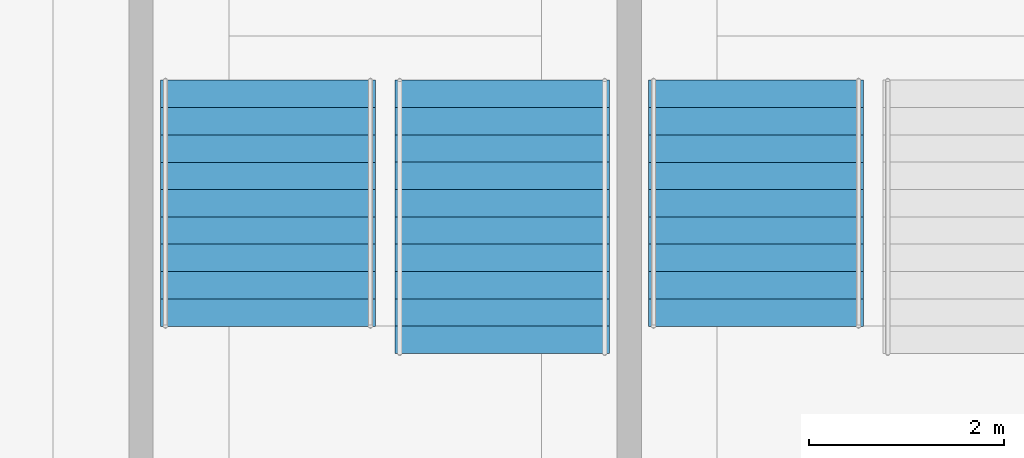
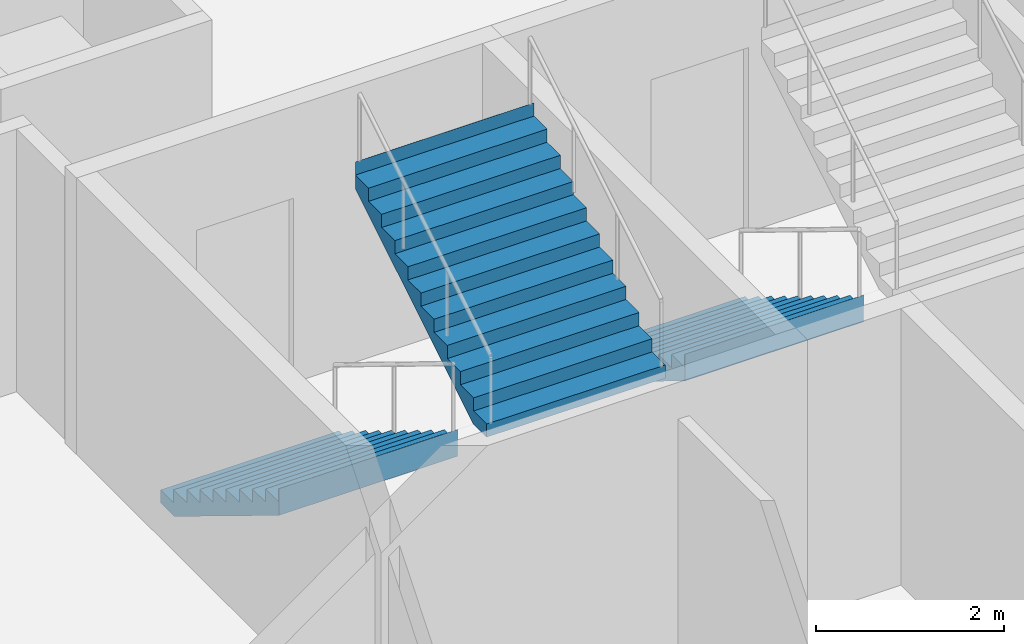
# One storey, part 98 of 148: 3 stair flights, 2 elements without a shape of their own.
"""IFC4 building model written with IfcOpenShell, lengths in metres."""

from ifc_helpers import new_model, si_unit, direction, frame, origin, place, context, subcontext, project, spatial, polyline, outline, extrude, material, type_object, element, aggregate, save


model = new_model("IFC4")

# Units and contexts
model_context = context("Model", 3, precision=1e-05, world=origin(), true_north=direction((0.0, 1.0)))
body_context = subcontext(model_context, "Body", "Model", "MODEL_VIEW")
ifc_project = project(units=[si_unit("LENGTHUNIT", "METRE"), si_unit("AREAUNIT", "SQUARE_METRE"), si_unit("VOLUMEUNIT", "CUBIC_METRE"), si_unit("PLANEANGLEUNIT", "RADIAN"), si_unit("MASSUNIT", "GRAM", prefix="KILO")], contexts=[model_context])

# Site, building, storey
site_placement = place(None, origin())
site = spatial("IfcSite", under=ifc_project, at=site_placement, CompositionType="ELEMENT")
building_placement = place(site_placement, origin())
building = spatial("IfcBuilding", under=site, at=building_placement, Name="Kupolbacken Congress Centre", CompositionType="ELEMENT")
storey_placement = place(building_placement, origin())
storey = spatial("IfcBuildingStorey", under=building, at=storey_placement, Name="L00", CompositionType="ELEMENT", Elevation=0.0)

# Stair, stair flight
ifc_material_1 = material(Name="Concrete C30/37", Category="concrete")
stair_type = type_object("IfcStairType", Name="ST13 stair 2200", PredefinedType="TWO_STRAIGHT_RUN_STAIR", material=ifc_material_1)
stair_1_placement = place(storey_placement, origin())
stair_1 = element("IfcStair", 1, at=stair_1_placement, inside=storey, type_object=stair_type, Name="C/stair/PS1SE/L00", PredefinedType="NOTDEFINED")
ifc_material_2 = material(Name="Concrete C30/37", Category="concrete")
stair_flight_type_1 = type_object("IfcStairFlightType", Name="FL13 stair flight 2200 x 10 risers", PredefinedType="STRAIGHT", material=ifc_material_2)
stair_flight_1_placement = place(storey_placement, frame((69.699951171875, 55.544921875, 0.0), z_axis=(0.0, 0.0, 1.0), x_axis=(0.0, -1.0, 0.0)))
stair_flight_1 = element("IfcStairFlight", 2, at=stair_flight_1_placement, type_object=stair_flight_type_1, Name="PS1SE flight 1", NumberOfRisers=10, NumberOfTreads=9, PredefinedType="STRAIGHT", RiserHeight=0.171428571, TreadLength=0.28, context=body_context, shape_type="SweptSolid", body=[
    extrude(outline(polyline([(0.0, 0.0), (0.0, 0.0009765625), (0.0, 0.002197265625), (0.0, 0.003173828125), (0.0, 0.004150390625), (0.0, 0.00537109375), (0.0, 0.00634765625), (0.0, 0.007568359375), (0.0, 0.008544921875), (0.0, 0.009521484375), (0.0, 0.0107421875), (0.0, 0.01171875), (0.0, 0.0126953125), (0.0, 0.013916015625), (0.0, 0.014892578125), (0.0, 0.015869140625), (0.0, 0.01708984375), (0.0, 0.01806640625), (0.0, 0.019287109375), (0.0, 0.020263671875), (0.0, 0.021240234375), (0.0, 0.0224609375), (0.0, 0.0234375), (0.0, 0.0244140625), (0.0, 0.025634765625), (0.0, 0.026611328125), (0.0, 0.027587890625), (0.0, 0.02880859375), (0.0, 0.02978515625), (0.0, 0.03076171875), (0.0, 0.031982421875), (0.0, 0.032958984375), (0.0, 0.0341796875), (0.0, 0.03515625), (0.0, 0.0361328125), (0.0, 0.037353515625), (0.0, 0.038330078125), (0.0, 0.039306640625), (0.0, 0.04052734375), (0.0, 0.04150390625), (0.0, 0.04248046875), (0.0, 0.043701171875), (0.0, 0.044677734375), (0.0, 0.0458984375), (0.0, 0.046875), (0.0, 0.0478515625), (0.0, 0.049072265625), (0.0, 0.050048828125), (0.0, 0.051025390625), (0.0, 0.05224609375), (0.0, 0.05322265625), (0.0, 0.05419921875), (0.0, 0.055419921875), (0.0, 0.056396484375), (0.0, 0.0576171875), (0.0, 0.05859375), (0.0, 0.0595703125), (0.0, 0.060791015625), (0.0, 0.061767578125), (0.0, 0.062744140625), (0.0, 0.06396484375), (0.0, 0.06494140625), (0.0, 0.06591796875), (0.0, 0.067138671875), (0.0, 0.068115234375), (0.0, 0.069091796875), (0.0, 0.0703125), (0.0, 0.0712890625), (0.0, 0.072509765625), (0.0, 0.073486328125), (0.0, 0.074462890625), (0.0, 0.07568359375), (0.0, 0.07666015625), (0.0, 0.07763671875), (0.0, 0.078857421875), (0.0, 0.079833984375), (0.0, 0.080810546875), (0.0, 0.08203125), (0.0, 0.0830078125), (0.0, 0.084228515625), (0.0, 0.085205078125), (0.0, 0.086181640625), (0.0, 0.08740234375), (0.0, 0.08837890625), (0.0, 0.08935546875), (0.0, 0.090576171875), (0.0, 0.091552734375), (0.0, 0.092529296875), (0.0, 0.09375), (0.0, 0.0947265625), (0.0, 0.095947265625), (0.0, 0.096923828125), (0.0, 0.097900390625), (0.0, 0.09912109375), (0.0, 0.10009765625), (0.0, 0.10107421875), (0.0, 0.102294921875), (0.0, 0.103271484375), (0.0, 0.104248046875), (0.0, 0.10546875), (0.0, 0.1064453125), (0.0, 0.107421875), (0.0, 0.108642578125), (0.0, 0.109619140625), (0.0, 0.11083984375), (0.0, 0.11181640625), (0.0, 0.11279296875), (0.0, 0.114013671875), (0.0, 0.114990234375), (0.0, 0.115966796875), (0.0, 0.1171875), (0.0, 0.1181640625), (0.0, 0.119140625), (0.0, 0.120361328125), (0.0, 0.121337890625), (0.0, 0.12255859375), (0.0, 0.12353515625), (0.0, 0.12451171875), (0.0, 0.125732421875), (0.0, 0.126708984375), (0.0, 0.127685546875), (0.0, 0.12890625), (0.0, 0.1298828125), (0.0, 0.130859375), (0.0, 0.132080078125), (0.0, 0.133056640625), (0.0, 0.13427734375), (0.0, 0.13525390625), (0.0, 0.13623046875), (0.0, 0.137451171875), (0.0, 0.138427734375), (0.0, 0.139404296875), (0.0, 0.140625), (0.0, 0.1416015625), (0.0, 0.142578125), (0.0, 0.143798828125), (0.0, 0.144775390625), (0.0, 0.145751953125), (0.0, 0.14697265625), (0.0, 0.14794921875), (0.0, 0.149169921875), (0.0, 0.150146484375), (0.0, 0.151123046875), (0.0, 0.15234375), (0.0, 0.1533203125), (0.0, 0.154296875), (0.0, 0.155517578125), (0.0, 0.156494140625), (0.0, 0.157470703125), (0.0, 0.15869140625), (0.0, 0.15966796875), (0.0, 0.160888671875), (0.0, 0.161865234375), (0.0, 0.162841796875), (0.0, 0.1640625), (0.0, 0.1650390625), (0.0, 0.166015625), (0.0, 0.167236328125), (0.0, 0.168212890625), (0.0, 0.169189453125), (0.0, 0.17041015625), (0.0, 0.17138671875), (0.280029296875, 0.17138671875), (0.280029296875, 0.3427734375), (0.56005859375, 0.3427734375), (0.56005859375, 0.514404296875), (0.840087890625, 0.514404296875), (0.840087890625, 0.685791015625), (1.1201171875, 0.685791015625), (1.1201171875, 0.857177734375), (1.39990234375, 0.857177734375), (1.39990234375, 1.028564453125), (1.679931640625, 1.028564453125), (1.679931640625, 1.199951171875), (1.9599609375, 1.199951171875), (1.9599609375, 1.371337890625), (2.239990234375, 1.371337890625), (2.239990234375, 1.54296875), (2.52001953125, 1.54296875), (2.52001953125, 1.71435546875), (2.52197265625, 1.71435546875), (2.52197265625, 1.712158203125), (2.52197265625, 1.7099609375), (2.52197265625, 1.707763671875), (2.52197265625, 1.70556640625), (2.52197265625, 1.70361328125), (2.52197265625, 1.701416015625), (2.52197265625, 1.69921875), (2.52197265625, 1.697021484375), (2.52197265625, 1.69482421875), (2.52197265625, 1.692626953125), (2.52197265625, 1.690673828125), (2.52197265625, 1.6884765625), (2.52197265625, 1.686279296875), (2.52197265625, 1.68408203125), (2.52197265625, 1.681884765625), (2.52197265625, 1.6796875), (2.52197265625, 1.677734375), (2.52197265625, 1.675537109375), (2.52197265625, 1.67333984375), (2.52197265625, 1.671142578125), (2.52197265625, 1.6689453125), (2.52197265625, 1.666748046875), (2.52197265625, 1.664794921875), (2.52197265625, 1.66259765625), (2.52197265625, 1.660400390625), (2.52197265625, 1.658203125), (2.52197265625, 1.656005859375), (2.52197265625, 1.65380859375), (2.52197265625, 1.65185546875), (2.52197265625, 1.649658203125), (2.52197265625, 1.6474609375), (2.52197265625, 1.645263671875), (2.52197265625, 1.64306640625), (2.52197265625, 1.640869140625), (2.52197265625, 1.638916015625), (2.52197265625, 1.63671875), (2.52197265625, 1.634521484375), (2.52197265625, 1.63232421875), (2.52197265625, 1.630126953125), (2.52197265625, 1.6279296875), (2.52197265625, 1.6259765625), (2.52197265625, 1.623779296875), (2.52197265625, 1.62158203125), (2.52197265625, 1.619384765625), (2.52197265625, 1.6171875), (2.52197265625, 1.614990234375), (2.52197265625, 1.613037109375), (2.52197265625, 1.61083984375), (2.52197265625, 1.608642578125), (2.52197265625, 1.6064453125), (2.52197265625, 1.604248046875), (2.52197265625, 1.60205078125), (2.52197265625, 1.60009765625), (2.52197265625, 1.597900390625), (2.52197265625, 1.595703125), (2.52197265625, 1.593505859375), (2.52197265625, 1.59130859375), (2.52197265625, 1.589111328125), (2.52197265625, 1.587158203125), (2.52197265625, 1.5849609375), (2.52197265625, 1.582763671875), (2.52197265625, 1.58056640625), (2.52197265625, 1.578369140625), (2.52197265625, 1.576171875), (2.52197265625, 1.57421875), (2.52197265625, 1.572021484375), (2.52197265625, 1.56982421875), (2.52197265625, 1.567626953125), (2.52197265625, 1.5654296875), (2.52197265625, 1.563232421875), (2.52197265625, 1.561279296875), (2.52197265625, 1.55908203125), (2.52197265625, 1.556884765625), (2.52197265625, 1.5546875), (2.52197265625, 1.552490234375), (2.52197265625, 1.55029296875), (2.52197265625, 1.54833984375), (2.52197265625, 1.546142578125), (2.52197265625, 1.5439453125), (2.52197265625, 1.541748046875), (2.52197265625, 1.53955078125), (2.52197265625, 1.537353515625), (2.52197265625, 1.535400390625), (2.52197265625, 1.533203125), (2.52197265625, 1.531005859375), (2.52197265625, 1.52880859375), (2.52197265625, 1.526611328125), (2.52197265625, 1.5244140625), (2.52197265625, 1.5224609375), (2.52197265625, 1.520263671875), (2.52197265625, 1.51806640625), (2.52197265625, 1.515869140625), (2.52197265625, 1.513671875), (2.52197265625, 1.511474609375), (2.52197265625, 1.509521484375), (2.52197265625, 1.50732421875), (2.52197265625, 1.505126953125), (2.52197265625, 1.5029296875), (2.52197265625, 1.500732421875), (2.52197265625, 1.49853515625), (2.52197265625, 1.49658203125), (2.52197265625, 1.494384765625), (2.52197265625, 1.4921875), (2.52197265625, 1.489990234375), (2.52197265625, 1.48779296875), (2.52197265625, 1.485595703125), (2.52197265625, 1.483642578125), (2.52197265625, 1.4814453125), (2.52197265625, 1.479248046875), (2.52197265625, 1.47705078125), (2.52197265625, 1.474853515625), (2.52197265625, 1.47265625), (2.52197265625, 1.470703125), (2.52197265625, 1.468505859375), (2.52197265625, 1.46630859375), (2.52197265625, 1.464111328125), (2.52197265625, 1.4619140625), (2.52197265625, 1.459716796875), (2.52197265625, 1.457763671875), (2.52197265625, 1.45556640625), (2.52197265625, 1.453369140625), (2.52197265625, 1.451171875), (2.52197265625, 1.448974609375), (2.52197265625, 1.44677734375), (2.52197265625, 1.44482421875), (2.52197265625, 1.442626953125), (2.52197265625, 1.4404296875), (2.52197265625, 1.438232421875), (2.52197265625, 1.43603515625), (2.52197265625, 1.433837890625), (2.52197265625, 1.431884765625), (2.52197265625, 1.4296875), (2.52197265625, 1.427490234375), (2.52197265625, 1.42529296875), (2.52197265625, 1.423095703125), (2.52197265625, 1.4208984375), (2.52197265625, 1.4189453125), (2.52197265625, 1.416748046875), (2.52197265625, 1.41455078125), (2.52197265625, 1.412353515625), (2.52197265625, 1.41015625), (2.52197265625, 1.407958984375), (2.52197265625, 1.406005859375), (2.52197265625, 1.40380859375), (2.52197265625, 1.401611328125), (2.52197265625, 1.3994140625), (2.52197265625, 1.397216796875), (2.52197265625, 1.39501953125), (2.52197265625, 1.39306640625), (2.52197265625, 1.390869140625), (2.52197265625, 1.388671875), (2.52197265625, 1.386474609375), (2.52197265625, 1.38427734375), (2.52197265625, 1.382080078125), (2.52197265625, 1.380126953125), (2.52197265625, 1.3779296875), (2.52197265625, 1.375732421875), (2.52197265625, 1.37353515625), (2.52197265625, 1.371337890625), (2.52197265625, 1.369140625), (2.52197265625, 1.3671875), (0.2890625, 0.0), (0.0, 0.0)])), frame((0.0, 1.10009765625, 0.0), z_axis=(0.0, -1.0, 0.0), x_axis=(1.0, 0.0, 0.0)), (0.0, 0.0, 1.0), 2.199951171875),
])

stair_2_placement = place(storey_placement, origin())
stair_2 = element("IfcStair", 3, at=stair_2_placement, inside=storey, type_object=stair_type, Name="C/stair/PS2SE/L00", PredefinedType="NOTDEFINED")
stair_flight_2_placement = place(storey_placement, frame((74.699951171875, 55.544921875, 0.0), z_axis=(0.0, 0.0, 1.0), x_axis=(0.0, -1.0, 0.0)))
stair_flight_2 = element("IfcStairFlight", 4, at=stair_flight_2_placement, type_object=stair_flight_type_1, Name="PS2SE flight 1", NumberOfRisers=10, NumberOfTreads=9, PredefinedType="STRAIGHT", RiserHeight=0.171428571, TreadLength=0.28, context=body_context, shape_type="SweptSolid", body=[
    extrude(outline(polyline([(0.0, 0.0), (0.0, 0.0009765625), (0.0, 0.002197265625), (0.0, 0.003173828125), (0.0, 0.004150390625), (0.0, 0.00537109375), (0.0, 0.00634765625), (0.0, 0.007568359375), (0.0, 0.008544921875), (0.0, 0.009521484375), (0.0, 0.0107421875), (0.0, 0.01171875), (0.0, 0.0126953125), (0.0, 0.013916015625), (0.0, 0.014892578125), (0.0, 0.015869140625), (0.0, 0.01708984375), (0.0, 0.01806640625), (0.0, 0.019287109375), (0.0, 0.020263671875), (0.0, 0.021240234375), (0.0, 0.0224609375), (0.0, 0.0234375), (0.0, 0.0244140625), (0.0, 0.025634765625), (0.0, 0.026611328125), (0.0, 0.027587890625), (0.0, 0.02880859375), (0.0, 0.02978515625), (0.0, 0.03076171875), (0.0, 0.031982421875), (0.0, 0.032958984375), (0.0, 0.0341796875), (0.0, 0.03515625), (0.0, 0.0361328125), (0.0, 0.037353515625), (0.0, 0.038330078125), (0.0, 0.039306640625), (0.0, 0.04052734375), (0.0, 0.04150390625), (0.0, 0.04248046875), (0.0, 0.043701171875), (0.0, 0.044677734375), (0.0, 0.0458984375), (0.0, 0.046875), (0.0, 0.0478515625), (0.0, 0.049072265625), (0.0, 0.050048828125), (0.0, 0.051025390625), (0.0, 0.05224609375), (0.0, 0.05322265625), (0.0, 0.05419921875), (0.0, 0.055419921875), (0.0, 0.056396484375), (0.0, 0.0576171875), (0.0, 0.05859375), (0.0, 0.0595703125), (0.0, 0.060791015625), (0.0, 0.061767578125), (0.0, 0.062744140625), (0.0, 0.06396484375), (0.0, 0.06494140625), (0.0, 0.06591796875), (0.0, 0.067138671875), (0.0, 0.068115234375), (0.0, 0.069091796875), (0.0, 0.0703125), (0.0, 0.0712890625), (0.0, 0.072509765625), (0.0, 0.073486328125), (0.0, 0.074462890625), (0.0, 0.07568359375), (0.0, 0.07666015625), (0.0, 0.07763671875), (0.0, 0.078857421875), (0.0, 0.079833984375), (0.0, 0.080810546875), (0.0, 0.08203125), (0.0, 0.0830078125), (0.0, 0.084228515625), (0.0, 0.085205078125), (0.0, 0.086181640625), (0.0, 0.08740234375), (0.0, 0.08837890625), (0.0, 0.08935546875), (0.0, 0.090576171875), (0.0, 0.091552734375), (0.0, 0.092529296875), (0.0, 0.09375), (0.0, 0.0947265625), (0.0, 0.095947265625), (0.0, 0.096923828125), (0.0, 0.097900390625), (0.0, 0.09912109375), (0.0, 0.10009765625), (0.0, 0.10107421875), (0.0, 0.102294921875), (0.0, 0.103271484375), (0.0, 0.104248046875), (0.0, 0.10546875), (0.0, 0.1064453125), (0.0, 0.107421875), (0.0, 0.108642578125), (0.0, 0.109619140625), (0.0, 0.11083984375), (0.0, 0.11181640625), (0.0, 0.11279296875), (0.0, 0.114013671875), (0.0, 0.114990234375), (0.0, 0.115966796875), (0.0, 0.1171875), (0.0, 0.1181640625), (0.0, 0.119140625), (0.0, 0.120361328125), (0.0, 0.121337890625), (0.0, 0.12255859375), (0.0, 0.12353515625), (0.0, 0.12451171875), (0.0, 0.125732421875), (0.0, 0.126708984375), (0.0, 0.127685546875), (0.0, 0.12890625), (0.0, 0.1298828125), (0.0, 0.130859375), (0.0, 0.132080078125), (0.0, 0.133056640625), (0.0, 0.13427734375), (0.0, 0.13525390625), (0.0, 0.13623046875), (0.0, 0.137451171875), (0.0, 0.138427734375), (0.0, 0.139404296875), (0.0, 0.140625), (0.0, 0.1416015625), (0.0, 0.142578125), (0.0, 0.143798828125), (0.0, 0.144775390625), (0.0, 0.145751953125), (0.0, 0.14697265625), (0.0, 0.14794921875), (0.0, 0.149169921875), (0.0, 0.150146484375), (0.0, 0.151123046875), (0.0, 0.15234375), (0.0, 0.1533203125), (0.0, 0.154296875), (0.0, 0.155517578125), (0.0, 0.156494140625), (0.0, 0.157470703125), (0.0, 0.15869140625), (0.0, 0.15966796875), (0.0, 0.160888671875), (0.0, 0.161865234375), (0.0, 0.162841796875), (0.0, 0.1640625), (0.0, 0.1650390625), (0.0, 0.166015625), (0.0, 0.167236328125), (0.0, 0.168212890625), (0.0, 0.169189453125), (0.0, 0.17041015625), (0.0, 0.17138671875), (0.280029296875, 0.17138671875), (0.280029296875, 0.3427734375), (0.56005859375, 0.3427734375), (0.56005859375, 0.514404296875), (0.840087890625, 0.514404296875), (0.840087890625, 0.685791015625), (1.1201171875, 0.685791015625), (1.1201171875, 0.857177734375), (1.39990234375, 0.857177734375), (1.39990234375, 1.028564453125), (1.679931640625, 1.028564453125), (1.679931640625, 1.199951171875), (1.9599609375, 1.199951171875), (1.9599609375, 1.371337890625), (2.239990234375, 1.371337890625), (2.239990234375, 1.54296875), (2.52001953125, 1.54296875), (2.52001953125, 1.71435546875), (2.52197265625, 1.71435546875), (2.52197265625, 1.712158203125), (2.52197265625, 1.7099609375), (2.52197265625, 1.707763671875), (2.52197265625, 1.70556640625), (2.52197265625, 1.70361328125), (2.52197265625, 1.701416015625), (2.52197265625, 1.69921875), (2.52197265625, 1.697021484375), (2.52197265625, 1.69482421875), (2.52197265625, 1.692626953125), (2.52197265625, 1.690673828125), (2.52197265625, 1.6884765625), (2.52197265625, 1.686279296875), (2.52197265625, 1.68408203125), (2.52197265625, 1.681884765625), (2.52197265625, 1.6796875), (2.52197265625, 1.677734375), (2.52197265625, 1.675537109375), (2.52197265625, 1.67333984375), (2.52197265625, 1.671142578125), (2.52197265625, 1.6689453125), (2.52197265625, 1.666748046875), (2.52197265625, 1.664794921875), (2.52197265625, 1.66259765625), (2.52197265625, 1.660400390625), (2.52197265625, 1.658203125), (2.52197265625, 1.656005859375), (2.52197265625, 1.65380859375), (2.52197265625, 1.65185546875), (2.52197265625, 1.649658203125), (2.52197265625, 1.6474609375), (2.52197265625, 1.645263671875), (2.52197265625, 1.64306640625), (2.52197265625, 1.640869140625), (2.52197265625, 1.638916015625), (2.52197265625, 1.63671875), (2.52197265625, 1.634521484375), (2.52197265625, 1.63232421875), (2.52197265625, 1.630126953125), (2.52197265625, 1.6279296875), (2.52197265625, 1.6259765625), (2.52197265625, 1.623779296875), (2.52197265625, 1.62158203125), (2.52197265625, 1.619384765625), (2.52197265625, 1.6171875), (2.52197265625, 1.614990234375), (2.52197265625, 1.613037109375), (2.52197265625, 1.61083984375), (2.52197265625, 1.608642578125), (2.52197265625, 1.6064453125), (2.52197265625, 1.604248046875), (2.52197265625, 1.60205078125), (2.52197265625, 1.60009765625), (2.52197265625, 1.597900390625), (2.52197265625, 1.595703125), (2.52197265625, 1.593505859375), (2.52197265625, 1.59130859375), (2.52197265625, 1.589111328125), (2.52197265625, 1.587158203125), (2.52197265625, 1.5849609375), (2.52197265625, 1.582763671875), (2.52197265625, 1.58056640625), (2.52197265625, 1.578369140625), (2.52197265625, 1.576171875), (2.52197265625, 1.57421875), (2.52197265625, 1.572021484375), (2.52197265625, 1.56982421875), (2.52197265625, 1.567626953125), (2.52197265625, 1.5654296875), (2.52197265625, 1.563232421875), (2.52197265625, 1.561279296875), (2.52197265625, 1.55908203125), (2.52197265625, 1.556884765625), (2.52197265625, 1.5546875), (2.52197265625, 1.552490234375), (2.52197265625, 1.55029296875), (2.52197265625, 1.54833984375), (2.52197265625, 1.546142578125), (2.52197265625, 1.5439453125), (2.52197265625, 1.541748046875), (2.52197265625, 1.53955078125), (2.52197265625, 1.537353515625), (2.52197265625, 1.535400390625), (2.52197265625, 1.533203125), (2.52197265625, 1.531005859375), (2.52197265625, 1.52880859375), (2.52197265625, 1.526611328125), (2.52197265625, 1.5244140625), (2.52197265625, 1.5224609375), (2.52197265625, 1.520263671875), (2.52197265625, 1.51806640625), (2.52197265625, 1.515869140625), (2.52197265625, 1.513671875), (2.52197265625, 1.511474609375), (2.52197265625, 1.509521484375), (2.52197265625, 1.50732421875), (2.52197265625, 1.505126953125), (2.52197265625, 1.5029296875), (2.52197265625, 1.500732421875), (2.52197265625, 1.49853515625), (2.52197265625, 1.49658203125), (2.52197265625, 1.494384765625), (2.52197265625, 1.4921875), (2.52197265625, 1.489990234375), (2.52197265625, 1.48779296875), (2.52197265625, 1.485595703125), (2.52197265625, 1.483642578125), (2.52197265625, 1.4814453125), (2.52197265625, 1.479248046875), (2.52197265625, 1.47705078125), (2.52197265625, 1.474853515625), (2.52197265625, 1.47265625), (2.52197265625, 1.470703125), (2.52197265625, 1.468505859375), (2.52197265625, 1.46630859375), (2.52197265625, 1.464111328125), (2.52197265625, 1.4619140625), (2.52197265625, 1.459716796875), (2.52197265625, 1.457763671875), (2.52197265625, 1.45556640625), (2.52197265625, 1.453369140625), (2.52197265625, 1.451171875), (2.52197265625, 1.448974609375), (2.52197265625, 1.44677734375), (2.52197265625, 1.44482421875), (2.52197265625, 1.442626953125), (2.52197265625, 1.4404296875), (2.52197265625, 1.438232421875), (2.52197265625, 1.43603515625), (2.52197265625, 1.433837890625), (2.52197265625, 1.431884765625), (2.52197265625, 1.4296875), (2.52197265625, 1.427490234375), (2.52197265625, 1.42529296875), (2.52197265625, 1.423095703125), (2.52197265625, 1.4208984375), (2.52197265625, 1.4189453125), (2.52197265625, 1.416748046875), (2.52197265625, 1.41455078125), (2.52197265625, 1.412353515625), (2.52197265625, 1.41015625), (2.52197265625, 1.407958984375), (2.52197265625, 1.406005859375), (2.52197265625, 1.40380859375), (2.52197265625, 1.401611328125), (2.52197265625, 1.3994140625), (2.52197265625, 1.397216796875), (2.52197265625, 1.39501953125), (2.52197265625, 1.39306640625), (2.52197265625, 1.390869140625), (2.52197265625, 1.388671875), (2.52197265625, 1.386474609375), (2.52197265625, 1.38427734375), (2.52197265625, 1.382080078125), (2.52197265625, 1.380126953125), (2.52197265625, 1.3779296875), (2.52197265625, 1.375732421875), (2.52197265625, 1.37353515625), (2.52197265625, 1.371337890625), (2.52197265625, 1.369140625), (2.52197265625, 1.3671875), (0.2890625, 0.0), (0.0, 0.0)])), frame((0.0, 1.10009765625, 0.0), z_axis=(0.0, -1.0, 0.0), x_axis=(1.0, 0.0, 0.0)), (0.0, 0.0, 1.0), 2.199951171875),
])
aggregate(stair_2, [stair_flight_2])

# Stair flight
ifc_material_3 = material(Name="Concrete C30/37", Category="concrete")
stair_flight_type_2 = type_object("IfcStairFlightType", Name="FL14 stair flight 2200 x 11 risers", PredefinedType="STRAIGHT", material=ifc_material_3)
stair_flight_3_placement = place(storey_placement, frame((72.10009765625, 52.7451171875, 1.71435546875), z_axis=(0.0, 0.0, 1.0), x_axis=(0.0, 1.0, 0.0)))
stair_flight_3 = element("IfcStairFlight", 5, at=stair_flight_3_placement, type_object=stair_flight_type_2, Name="PS1SE flight 2", NumberOfRisers=11, NumberOfTreads=10, PredefinedType="STRAIGHT", RiserHeight=0.171428571, TreadLength=0.28, context=body_context, shape_type="SweptSolid", body=[
    extrude(outline(polyline([(0.0, 0.0), (0.0, 0.0009765625), (0.0, 0.002197265625), (0.0, 0.003173828125), (0.0, 0.004150390625), (0.0, 0.00537109375), (0.0, 0.00634765625), (0.0, 0.007568359375), (0.0, 0.008544921875), (0.0, 0.009521484375), (0.0, 0.0107421875), (0.0, 0.01171875), (0.0, 0.0126953125), (0.0, 0.013916015625), (0.0, 0.014892578125), (0.0, 0.015869140625), (0.0, 0.01708984375), (0.0, 0.01806640625), (0.0, 0.019287109375), (0.0, 0.020263671875), (0.0, 0.021240234375), (0.0, 0.0224609375), (0.0, 0.0234375), (0.0, 0.0244140625), (0.0, 0.025634765625), (0.0, 0.026611328125), (0.0, 0.027587890625), (0.0, 0.02880859375), (0.0, 0.02978515625), (0.0, 0.03076171875), (0.0, 0.031982421875), (0.0, 0.032958984375), (0.0, 0.0341796875), (0.0, 0.03515625), (0.0, 0.0361328125), (0.0, 0.037353515625), (0.0, 0.038330078125), (0.0, 0.039306640625), (0.0, 0.04052734375), (0.0, 0.04150390625), (0.0, 0.04248046875), (0.0, 0.043701171875), (0.0, 0.044677734375), (0.0, 0.0458984375), (0.0, 0.046875), (0.0, 0.0478515625), (0.0, 0.049072265625), (0.0, 0.050048828125), (0.0, 0.051025390625), (0.0, 0.05224609375), (0.0, 0.05322265625), (0.0, 0.05419921875), (0.0, 0.055419921875), (0.0, 0.056396484375), (0.0, 0.0576171875), (0.0, 0.05859375), (0.0, 0.0595703125), (0.0, 0.060791015625), (0.0, 0.061767578125), (0.0, 0.062744140625), (0.0, 0.06396484375), (0.0, 0.06494140625), (0.0, 0.06591796875), (0.0, 0.067138671875), (0.0, 0.068115234375), (0.0, 0.069091796875), (0.0, 0.0703125), (0.0, 0.0712890625), (0.0, 0.072509765625), (0.0, 0.073486328125), (0.0, 0.074462890625), (0.0, 0.07568359375), (0.0, 0.07666015625), (0.0, 0.07763671875), (0.0, 0.078857421875), (0.0, 0.079833984375), (0.0, 0.080810546875), (0.0, 0.08203125), (0.0, 0.0830078125), (0.0, 0.084228515625), (0.0, 0.085205078125), (0.0, 0.086181640625), (0.0, 0.08740234375), (0.0, 0.08837890625), (0.0, 0.08935546875), (0.0, 0.090576171875), (0.0, 0.091552734375), (0.0, 0.092529296875), (0.0, 0.09375), (0.0, 0.0947265625), (0.0, 0.095947265625), (0.0, 0.096923828125), (0.0, 0.097900390625), (0.0, 0.09912109375), (0.0, 0.10009765625), (0.0, 0.10107421875), (0.0, 0.102294921875), (0.0, 0.103271484375), (0.0, 0.104248046875), (0.0, 0.10546875), (0.0, 0.1064453125), (0.0, 0.107421875), (0.0, 0.108642578125), (0.0, 0.109619140625), (0.0, 0.11083984375), (0.0, 0.11181640625), (0.0, 0.11279296875), (0.0, 0.114013671875), (0.0, 0.114990234375), (0.0, 0.115966796875), (0.0, 0.1171875), (0.0, 0.1181640625), (0.0, 0.119140625), (0.0, 0.120361328125), (0.0, 0.121337890625), (0.0, 0.12255859375), (0.0, 0.12353515625), (0.0, 0.12451171875), (0.0, 0.125732421875), (0.0, 0.126708984375), (0.0, 0.127685546875), (0.0, 0.12890625), (0.0, 0.1298828125), (0.0, 0.130859375), (0.0, 0.132080078125), (0.0, 0.133056640625), (0.0, 0.13427734375), (0.0, 0.13525390625), (0.0, 0.13623046875), (0.0, 0.137451171875), (0.0, 0.138427734375), (0.0, 0.139404296875), (0.0, 0.140625), (0.0, 0.1416015625), (0.0, 0.142578125), (0.0, 0.143798828125), (0.0, 0.144775390625), (0.0, 0.145751953125), (0.0, 0.14697265625), (0.0, 0.14794921875), (0.0, 0.149169921875), (0.0, 0.150146484375), (0.0, 0.151123046875), (0.0, 0.15234375), (0.0, 0.1533203125), (0.0, 0.154296875), (0.0, 0.155517578125), (0.0, 0.156494140625), (0.0, 0.157470703125), (0.0, 0.15869140625), (0.0, 0.15966796875), (0.0, 0.160888671875), (0.0, 0.161865234375), (0.0, 0.162841796875), (0.0, 0.1640625), (0.0, 0.1650390625), (0.0, 0.166015625), (0.0, 0.167236328125), (0.0, 0.168212890625), (0.0, 0.169189453125), (0.0, 0.17041015625), (0.0, 0.17138671875), (0.280029296875, 0.17138671875), (0.280029296875, 0.3427734375), (0.56005859375, 0.3427734375), (0.56005859375, 0.514404296875), (0.840087890625, 0.514404296875), (0.840087890625, 0.685791015625), (1.1201171875, 0.685791015625), (1.1201171875, 0.857177734375), (1.39990234375, 0.857177734375), (1.39990234375, 1.028564453125), (1.679931640625, 1.028564453125), (1.679931640625, 1.199951171875), (1.9599609375, 1.199951171875), (1.9599609375, 1.371337890625), (2.239990234375, 1.371337890625), (2.239990234375, 1.54296875), (2.52001953125, 1.54296875), (2.52001953125, 1.71435546875), (2.800048828125, 1.71435546875), (2.800048828125, 1.8857421875), (2.802001953125, 1.8857421875), (2.802001953125, 1.883544921875), (2.802001953125, 1.88134765625), (2.802001953125, 1.879150390625), (2.802001953125, 1.877197265625), (2.802001953125, 1.875), (2.802001953125, 1.872802734375), (2.802001953125, 1.87060546875), (2.802001953125, 1.868408203125), (2.802001953125, 1.8662109375), (2.802001953125, 1.8642578125), (2.802001953125, 1.862060546875), (2.802001953125, 1.85986328125), (2.802001953125, 1.857666015625), (2.802001953125, 1.85546875), (2.802001953125, 1.853271484375), (2.802001953125, 1.851318359375), (2.802001953125, 1.84912109375), (2.802001953125, 1.846923828125), (2.802001953125, 1.8447265625), (2.802001953125, 1.842529296875), (2.802001953125, 1.84033203125), (2.802001953125, 1.83837890625), (2.802001953125, 1.836181640625), (2.802001953125, 1.833984375), (2.802001953125, 1.831787109375), (2.802001953125, 1.82958984375), (2.802001953125, 1.827392578125), (2.802001953125, 1.825439453125), (2.802001953125, 1.8232421875), (2.802001953125, 1.821044921875), (2.802001953125, 1.81884765625), (2.802001953125, 1.816650390625), (2.802001953125, 1.814453125), (2.802001953125, 1.8125), (2.802001953125, 1.810302734375), (2.802001953125, 1.80810546875), (2.802001953125, 1.805908203125), (2.802001953125, 1.8037109375), (2.802001953125, 1.801513671875), (2.802001953125, 1.799560546875), (2.802001953125, 1.79736328125), (2.802001953125, 1.795166015625), (2.802001953125, 1.79296875), (2.802001953125, 1.790771484375), (2.802001953125, 1.78857421875), (2.802001953125, 1.78662109375), (2.802001953125, 1.784423828125), (2.802001953125, 1.7822265625), (2.802001953125, 1.780029296875), (2.802001953125, 1.77783203125), (2.802001953125, 1.775634765625), (2.802001953125, 1.773681640625), (2.802001953125, 1.771484375), (2.802001953125, 1.769287109375), (2.802001953125, 1.76708984375), (2.802001953125, 1.764892578125), (2.802001953125, 1.7626953125), (2.802001953125, 1.7607421875), (2.802001953125, 1.758544921875), (2.802001953125, 1.75634765625), (2.802001953125, 1.754150390625), (2.802001953125, 1.751953125), (2.802001953125, 1.749755859375), (2.802001953125, 1.747802734375), (2.802001953125, 1.74560546875), (2.802001953125, 1.743408203125), (2.802001953125, 1.7412109375), (2.802001953125, 1.739013671875), (2.802001953125, 1.73681640625), (2.802001953125, 1.73486328125), (2.802001953125, 1.732666015625), (2.802001953125, 1.73046875), (2.802001953125, 1.728271484375), (2.802001953125, 1.72607421875), (2.802001953125, 1.723876953125), (2.802001953125, 1.721923828125), (2.802001953125, 1.7197265625), (2.802001953125, 1.717529296875), (2.802001953125, 1.71533203125), (2.802001953125, 1.713134765625), (2.802001953125, 1.7109375), (2.802001953125, 1.708984375), (2.802001953125, 1.706787109375), (2.802001953125, 1.70458984375), (2.802001953125, 1.702392578125), (2.802001953125, 1.7001953125), (2.802001953125, 1.697998046875), (2.802001953125, 1.696044921875), (2.802001953125, 1.69384765625), (2.802001953125, 1.691650390625), (2.802001953125, 1.689453125), (2.802001953125, 1.687255859375), (2.802001953125, 1.68505859375), (2.802001953125, 1.68310546875), (2.802001953125, 1.680908203125), (2.802001953125, 1.6787109375), (2.802001953125, 1.676513671875), (2.802001953125, 1.67431640625), (2.802001953125, 1.672119140625), (2.802001953125, 1.670166015625), (2.802001953125, 1.66796875), (2.802001953125, 1.665771484375), (2.802001953125, 1.66357421875), (2.802001953125, 1.661376953125), (2.802001953125, 1.6591796875), (2.802001953125, 1.6572265625), (2.802001953125, 1.655029296875), (2.802001953125, 1.65283203125), (2.802001953125, 1.650634765625), (2.802001953125, 1.6484375), (2.802001953125, 1.646240234375), (2.802001953125, 1.644287109375), (2.802001953125, 1.64208984375), (2.802001953125, 1.639892578125), (2.802001953125, 1.6376953125), (2.802001953125, 1.635498046875), (2.802001953125, 1.63330078125), (2.802001953125, 1.63134765625), (2.802001953125, 1.629150390625), (2.802001953125, 1.626953125), (2.802001953125, 1.624755859375), (2.802001953125, 1.62255859375), (2.802001953125, 1.620361328125), (2.802001953125, 1.618408203125), (2.802001953125, 1.6162109375), (2.802001953125, 1.614013671875), (2.802001953125, 1.61181640625), (2.802001953125, 1.609619140625), (2.802001953125, 1.607421875), (2.802001953125, 1.60546875), (2.802001953125, 1.603271484375), (2.802001953125, 1.60107421875), (2.802001953125, 1.598876953125), (2.802001953125, 1.5966796875), (2.802001953125, 1.594482421875), (2.802001953125, 1.592529296875), (2.802001953125, 1.59033203125), (2.802001953125, 1.588134765625), (2.802001953125, 1.5859375), (2.802001953125, 1.583740234375), (2.802001953125, 1.58154296875), (2.802001953125, 1.57958984375), (2.802001953125, 1.577392578125), (2.802001953125, 1.5751953125), (2.802001953125, 1.572998046875), (2.802001953125, 1.57080078125), (2.802001953125, 1.568603515625), (2.802001953125, 1.566650390625), (2.802001953125, 1.564453125), (2.802001953125, 1.562255859375), (2.802001953125, 1.56005859375), (2.802001953125, 1.557861328125), (2.802001953125, 1.5556640625), (2.802001953125, 1.5537109375), (2.802001953125, 1.551513671875), (2.802001953125, 1.54931640625), (2.802001953125, 1.547119140625), (2.802001953125, 1.544921875), (2.802001953125, 1.542724609375), (2.802001953125, 1.540771484375), (2.802001953125, 1.53857421875), (0.2890625, 0.0), (0.0, 0.0)])), frame((0.0, 1.10009765625, 0.0), z_axis=(0.0, -1.0, 0.0), x_axis=(1.0, 0.0, 0.0)), (0.0, 0.0, 1.0), 2.199951171875),
])

aggregate(stair_1, [stair_flight_1, stair_flight_3])

save(model, "model.ifc")
